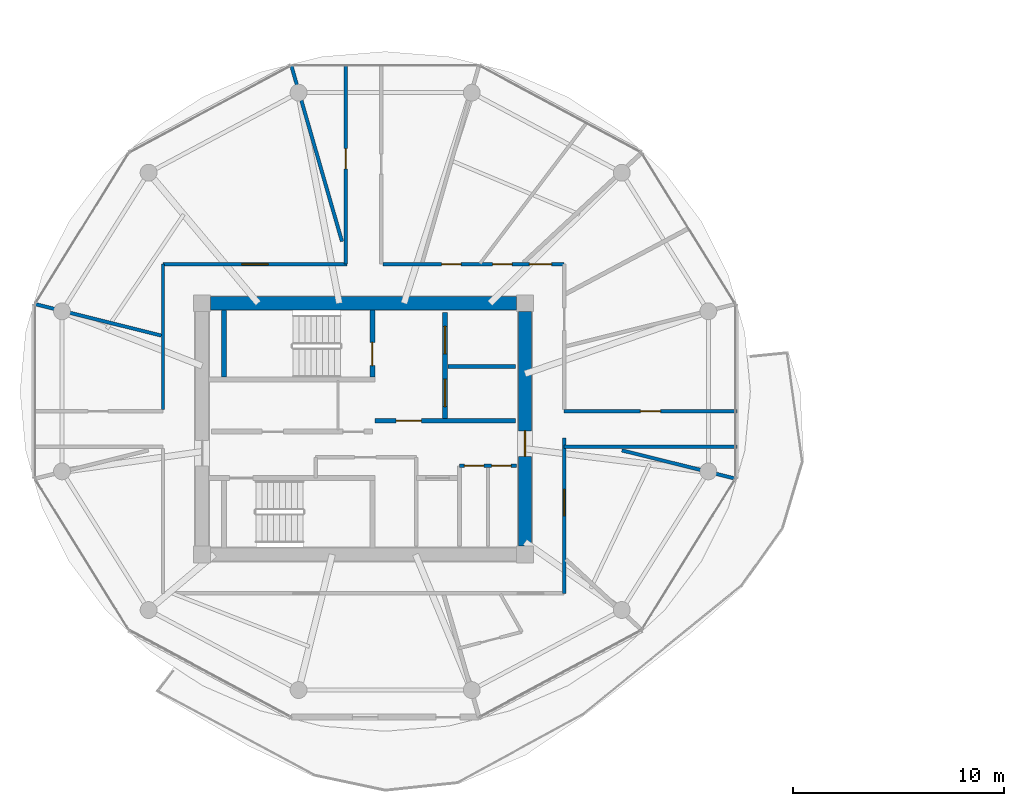
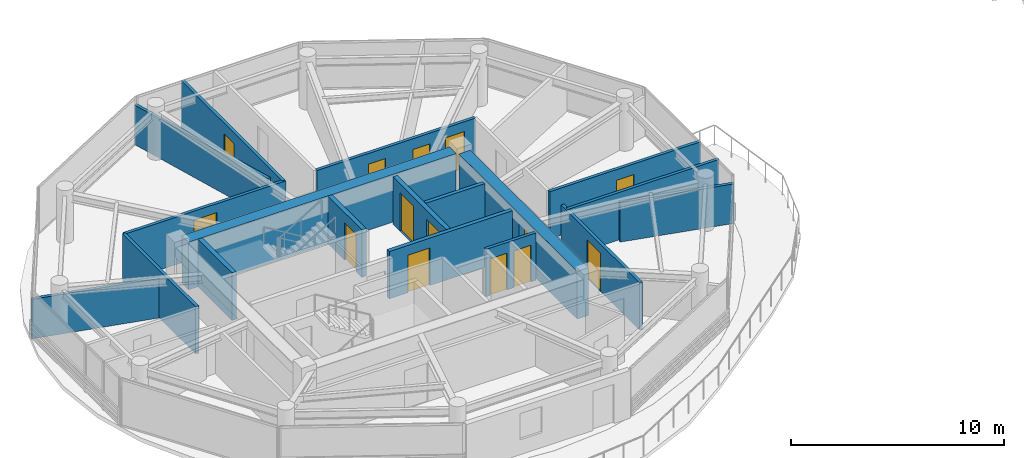
# One storey, part 13 of 22: 18 walls, 14 doors, 14 openings.
"""IFC4 building model written with IfcOpenShell, lengths in metres."""

from ifc_helpers import new_model, si_unit, direction, frame, frame_2d, origin, place, context, subcontext, project, spatial, rectangle, extrude, source, transform, mapped, material, layer, layer_set, type_object, type_shapes, element, fill, save


model = new_model("IFC4")

# Units and contexts
model_context = context("Model", 3, precision=1e-05, world=origin(), true_north=direction((0.0, 1.0)))
body_context = subcontext(model_context, "Body", "Model", "MODEL_VIEW")
ifc_project = project(units=[si_unit("LENGTHUNIT", "METRE"), si_unit("AREAUNIT", "SQUARE_METRE"), si_unit("VOLUMEUNIT", "CUBIC_METRE"), si_unit("PLANEANGLEUNIT", "RADIAN"), si_unit("MASSUNIT", "GRAM", prefix="KILO")], contexts=[model_context])

# Site, building, storey
site_placement = place(None, origin())
site = spatial("IfcSite", under=ifc_project, at=site_placement, CompositionType="ELEMENT")
building_placement = place(site_placement, origin())
building = spatial("IfcBuilding", under=site, at=building_placement, Name="Norrkilde Senior Care Towers", CompositionType="ELEMENT")
storey_placement = place(building_placement, frame((0.0, 0.0, 183.10009765625)))
storey = spatial("IfcBuildingStorey", under=building, at=storey_placement, Name="L57", CompositionType="ELEMENT", Elevation=183.10009765625)

# Wall
ifc_material_1 = material(Name="Concrete C50/60", Category="concrete")
ifc_layer_1 = layer(ifc_material_1, 0.6201171875)
ifc_layer_set_1 = layer_set([ifc_layer_1], Name="Concrete C50/60")
wall_type_1 = type_object("IfcWallType", Name="Core Shear Wall Z3 620", PredefinedType="SHEAR", material=ifc_layer_set_1)
shared_shape_1 = source(origin(), body_context, "Body", "SweptSolid", [
    extrude(rectangle(XDim=14.5, YDim=0.6201171875, at=frame_2d((7.25, 0.0))), origin(), (0.0, 0.0, 1.0), 2.72998046875),
])
wall_1_placement = place(storey_placement, frame((-35.25, 5.949951171875, 0.0), z_axis=(0.0, 0.0, 1.0), x_axis=(1.0, 0.0, 0.0)))
element("IfcWall", 1, at=wall_1_placement, inside=storey, type_object=wall_type_1, Name="L57 Core W North Shear Wall", PredefinedType="SHEAR", context=body_context, shape_type="MappedRepresentation", body=[
    mapped(shared_shape_1, transform((0.0, 0.0, 0.0), x_axis=(1.0, 0.0, 0.0), y_axis=(0.0, 1.0, 0.0), z_axis=(0.0, 0.0, 1.0), scale=1.0)),
])

# Wall, opening, door
shared_shape_2 = source(origin(), body_context, "Body", "SweptSolid", [
    extrude(rectangle(XDim=11.10009765625, YDim=0.6201171875, at=frame_2d((5.550048828125, 0.0))), origin(), (0.0, 0.0, 1.0), 2.72998046875),
])
type_shapes(wall_type_1, [shared_shape_1, shared_shape_2])
wall_2_placement = place(storey_placement, frame((-20.35009765625, 5.550048828125, 0.0), z_axis=(0.0, 0.0, 1.0), x_axis=(0.0, -1.0, 0.0)))
wall_2 = element("IfcWall", 2, at=wall_2_placement, inside=storey, type_object=wall_type_1, Name="L57 Core W East Shear Wall", PredefinedType="SHEAR", context=body_context, shape_type="MappedRepresentation", body=[
    mapped(shared_shape_2, transform((0.0, 0.0, 0.0), x_axis=(1.0, 0.0, 0.0), y_axis=(0.0, 1.0, 0.0), z_axis=(0.0, 0.0, 1.0), scale=1.0)),
])
opening_1_placement = place(wall_2_placement, frame((5.64990234375, 0.0, 0.0)))
opening_1 = element("IfcOpeningElement", 3, at=opening_1_placement, cuts=wall_2, Name="Opening D-04", PredefinedType="OPENING", context=body_context, shape_type="SweptSolid", body=[
    extrude(rectangle(XDim=1.199951171875, YDim=2.14990234375, at=frame_2d((0.60009765625, 1.074951171875))), frame((0.0, 0.320068359375, 0.0), z_axis=(0.0, -1.0, 0.0), x_axis=(1.0, 0.0, 0.0)), (0.0, 0.0, 1.0), 0.64013671875),
])
ifc_material_2 = material(Name="Galvanised Painted Steel", Category="steel")
door_type_1 = type_object("IfcDoorType", Name="Firefighting Lobby Fire Door 1200x2150", OperationType="NOTDEFINED", PredefinedType="DOOR", material=ifc_material_2)
shared_shape_3 = source(origin(), body_context, "Body", "SweptSolid", [
    extrude(rectangle(XDim=1.199951171875, YDim=2.14990234375, at=frame_2d((0.60009765625, 1.074951171875))), frame((0.0, 0.02490234375, 0.0), z_axis=(0.0, -1.0, 0.0), x_axis=(1.0, 0.0, 0.0)), (0.0, 0.0, 1.0), 0.050048828125),
])
type_shapes(door_type_1, [shared_shape_3])
door_1_placement = place(opening_1_placement, frame((1.199951171875, 0.0, 0.0), z_axis=(0.0, 0.0, 1.0), x_axis=(-1.0, 0.0, 0.0)))
door_1 = element("IfcDoor", 4, at=door_1_placement, inside=storey, type_object=door_type_1, Name="L57 Core W East Portal Door", OperationType="SINGLE_SWING_RIGHT", OverallHeight=2.14990234375, OverallWidth=1.199951171875, PredefinedType="DOOR", context=body_context, shape_type="MappedRepresentation", body=[
    mapped(shared_shape_3, transform((0.0, 0.0, 0.0), x_axis=(1.0, 0.0, 0.0), y_axis=(0.0, 1.0, 0.0), z_axis=(0.0, 0.0, 1.0), scale=1.0)),
])
fill(opening_1, door_1)

# Wall
ifc_material_3 = material(Name="Concrete C45/55", Category="concrete")
ifc_layer_2 = layer(ifc_material_3, 0.239990234375)
ifc_layer_set_2 = layer_set([ifc_layer_2], Name="Concrete C45/55")
wall_type_2 = type_object("IfcWallType", Name="Shaft and Stair Enclosure Wall 240", PredefinedType="PARTITIONING", material=ifc_layer_set_2)
shared_shape_4 = source(origin(), body_context, "Body", "SweptSolid", [
    extrude(rectangle(XDim=3.18994140625, YDim=0.239990234375, at=frame_2d((1.594970703125, 0.0))), origin(), (0.0, 0.0, 1.0), 2.72998046875),
])
type_shapes(wall_type_2, [shared_shape_4])
wall_3_placement = place(storey_placement, frame((-34.6201171875, 2.449951171875, 0.0), z_axis=(0.0, 0.0, 1.0), x_axis=(0.0, 1.0, 0.0)))
element("IfcWall", 5, at=wall_3_placement, inside=storey, type_object=wall_type_2, Name="WL-INT-L57-W-ST1W", PredefinedType="PARTITIONING", context=body_context, shape_type="MappedRepresentation", body=[
    mapped(shared_shape_4, transform((0.0, 0.0, 0.0), x_axis=(1.0, 0.0, 0.0), y_axis=(0.0, 1.0, 0.0), z_axis=(0.0, 0.0, 1.0), scale=1.0)),
])

# Wall, opening, door
wall_4_placement = place(storey_placement, frame((-27.580078125, 2.449951171875, 0.0), z_axis=(0.0, 0.0, 1.0), x_axis=(0.0, 1.0, 0.0)))
wall_4 = element("IfcWall", 6, at=wall_4_placement, inside=storey, type_object=wall_type_2, Name="WL-INT-L57-W-ST1E", PredefinedType="PARTITIONING", context=body_context, shape_type="MappedRepresentation", body=[
    mapped(shared_shape_4, transform((0.0, 0.0, 0.0), x_axis=(1.0, 0.0, 0.0), y_axis=(0.0, 1.0, 0.0), z_axis=(0.0, 0.0, 1.0), scale=1.0)),
])
opening_2_placement = place(wall_4_placement, frame((0.550048828125, 0.0, 0.0)))
opening_2 = element("IfcOpeningElement", 7, at=opening_2_placement, cuts=wall_4, Name="Opening D-03", PredefinedType="OPENING", context=body_context, shape_type="SweptSolid", body=[
    extrude(rectangle(XDim=1.10009765625, YDim=2.14990234375, at=frame_2d((0.550048828125, 1.074951171875))), frame((0.0, 0.1298828125, 0.0), z_axis=(0.0, -1.0, 0.0), x_axis=(1.0, 0.0, 0.0)), (0.0, 0.0, 1.0), 0.260009765625),
])
door_type_2 = type_object("IfcDoorType", Name="Stairwell Protected Fire Door 1100x2150", OperationType="NOTDEFINED", PredefinedType="DOOR", material=ifc_material_2)
shared_shape_5 = source(origin(), body_context, "Body", "SweptSolid", [
    extrude(rectangle(XDim=1.10009765625, YDim=2.14990234375, at=frame_2d((0.550048828125, 1.074951171875))), frame((0.0, 0.02490234375, 0.0), z_axis=(0.0, -1.0, 0.0), x_axis=(1.0, 0.0, 0.0)), (0.0, 0.0, 1.0), 0.050048828125),
])
type_shapes(door_type_2, [shared_shape_5])
door_2_placement = place(opening_2_placement, origin())
door_2 = element("IfcDoor", 8, at=door_2_placement, inside=storey, type_object=door_type_2, Name="L57 Stair W1 Fire Door", OperationType="SINGLE_SWING_LEFT", OverallHeight=2.14990234375, OverallWidth=1.10009765625, PredefinedType="DOOR", context=body_context, shape_type="MappedRepresentation", body=[
    mapped(shared_shape_5, transform((0.0, 0.0, 0.0), x_axis=(1.0, 0.0, 0.0), y_axis=(0.0, 1.0, 0.0), z_axis=(0.0, 0.0, 1.0), scale=1.0)),
])
fill(opening_2, door_2)

# Wall, openings, doors
ifc_layer_3 = layer(ifc_material_3, 0.239990234375)
ifc_layer_set_3 = layer_set([ifc_layer_3], Name="Concrete C45/55")
wall_type_3 = type_object("IfcWallType", Name="Lift and Plant Rated Enclosure Partition 240", PredefinedType="PARTITIONING", material=ifc_layer_set_3)
shared_shape_6 = source(origin(), body_context, "Body", "SweptSolid", [
    extrude(rectangle(XDim=5.0, YDim=0.239990234375, at=frame_2d((2.5, 0.0))), origin(), (0.0, 0.0, 1.0), 2.71484375),
])
type_shapes(wall_type_3, [shared_shape_6])
wall_5_placement = place(storey_placement, frame((-24.139892578125, 0.5, 0.0), z_axis=(0.0, 0.0, 1.0), x_axis=(0.0, 1.0, 0.0)))
wall_5 = element("IfcWall", 9, at=wall_5_placement, inside=storey, type_object=wall_type_3, Name="WL-INT-L57-W-FFLE", PredefinedType="PARTITIONING", context=body_context, shape_type="MappedRepresentation", body=[
    mapped(shared_shape_6, transform((0.0, 0.0, 0.0), x_axis=(1.0, 0.0, 0.0), y_axis=(0.0, 1.0, 0.0), z_axis=(0.0, 0.0, 1.0), scale=1.0)),
])
opening_3_placement = place(wall_5_placement, frame((3.050048828125, 0.0, 0.0)))
opening_3 = element("IfcOpeningElement", 10, at=opening_3_placement, cuts=wall_5, Name="Opening LD-02", PredefinedType="OPENING", context=body_context, shape_type="SweptSolid", body=[
    extrude(rectangle(XDim=1.300048828125, YDim=2.199951171875, at=frame_2d((0.64990234375, 1.10009765625))), frame((0.0, 0.1298828125, 0.0), z_axis=(0.0, -1.0, 0.0), x_axis=(1.0, 0.0, 0.0)), (0.0, 0.0, 1.0), 0.260009765625),
])
opening_4_placement = place(wall_5_placement, frame((0.550048828125, 0.0, 0.0)))
opening_4 = element("IfcOpeningElement", 11, at=opening_4_placement, cuts=wall_5, Name="Opening LD-02", PredefinedType="OPENING", context=body_context, shape_type="SweptSolid", body=[
    extrude(rectangle(XDim=1.300048828125, YDim=2.199951171875, at=frame_2d((0.64990234375, 1.10009765625))), frame((0.0, 0.1298828125, 0.0), z_axis=(0.0, -1.0, 0.0), x_axis=(1.0, 0.0, 0.0)), (0.0, 0.0, 1.0), 0.260009765625),
])
ifc_material_4 = material(Name="Stainless Steel", Category="steel")
door_type_3 = type_object("IfcDoorType", Name="Stretcher and FFL Landing Sliding Door 1300x2200", OperationType="NOTDEFINED", PredefinedType="DOOR", material=ifc_material_4)
shared_shape_7 = source(origin(), body_context, "Body", "SweptSolid", [
    extrude(rectangle(XDim=1.300048828125, YDim=2.199951171875, at=frame_2d((0.64990234375, 1.10009765625))), frame((0.0, 0.02490234375, 0.0), z_axis=(0.0, -1.0, 0.0), x_axis=(1.0, 0.0, 0.0)), (0.0, 0.0, 1.0), 0.050048828125),
])
type_shapes(door_type_3, [shared_shape_7])
door_3_placement = place(opening_3_placement, origin())
door_3 = element("IfcDoor", 12, at=door_3_placement, inside=storey, type_object=door_type_3, Name="L57 Firefighting Lift W1 Landing Door", OperationType="SLIDING_TO_LEFT", OverallHeight=2.199951171875, OverallWidth=1.300048828125, PredefinedType="DOOR", context=body_context, shape_type="MappedRepresentation", body=[
    mapped(shared_shape_7, transform((0.0, 0.0, 0.0), x_axis=(1.0, 0.0, 0.0), y_axis=(0.0, 1.0, 0.0), z_axis=(0.0, 0.0, 1.0), scale=1.0)),
])
fill(opening_3, door_3)
door_4_placement = place(opening_4_placement, origin())
door_4 = element("IfcDoor", 13, at=door_4_placement, inside=storey, type_object=door_type_3, Name="L57 Stretcher Lift W1 Landing Door", OperationType="SLIDING_TO_RIGHT", OverallHeight=2.199951171875, OverallWidth=1.300048828125, PredefinedType="DOOR", context=body_context, shape_type="MappedRepresentation", body=[
    mapped(shared_shape_7, transform((0.0, 0.0, 0.0), x_axis=(1.0, 0.0, 0.0), y_axis=(0.0, 1.0, 0.0), z_axis=(0.0, 0.0, 1.0), scale=1.0)),
])
fill(opening_4, door_4)

# Wall
ifc_layer_4 = layer(ifc_material_3, 0.199951171875)
ifc_layer_set_4 = layer_set([ifc_layer_4], Name="Concrete C45/55")
wall_type_4 = type_object("IfcWallType", Name="Shaft Division and Plant Partition 200", PredefinedType="PARTITIONING", material=ifc_layer_set_4)
shared_shape_8 = source(origin(), body_context, "Body", "SweptSolid", [
    extrude(rectangle(XDim=3.199951171875, YDim=0.199951171875, at=frame_2d((1.60009765625, 0.0))), origin(), (0.0, 0.0, 1.0), 2.71484375),
])
type_shapes(wall_type_4, [shared_shape_8])
wall_6_placement = place(storey_placement, frame((-24.0, 2.949951171875, 0.0), z_axis=(0.0, 0.0, 1.0), x_axis=(1.0, 0.0, 0.0)))
element("IfcWall", 14, at=wall_6_placement, inside=storey, type_object=wall_type_4, Name="WL-INT-L57-W-FFLDIV", PredefinedType="PARTITIONING", context=body_context, shape_type="MappedRepresentation", body=[
    mapped(shared_shape_8, transform((0.0, 0.0, 0.0), x_axis=(1.0, 0.0, 0.0), y_axis=(0.0, 1.0, 0.0), z_axis=(0.0, 0.0, 1.0), scale=1.0)),
])

# Wall, opening, door
ifc_layer_5 = layer(ifc_material_3, 0.2099609375)
ifc_layer_set_5 = layer_set([ifc_layer_5], Name="Concrete C45/55")
wall_type_5 = type_object("IfcWallType", Name="Firefighting Lobby Wall 210", PredefinedType="PARTITIONING", material=ifc_layer_set_5)
shared_shape_9 = source(origin(), body_context, "Body", "SweptSolid", [
    extrude(rectangle(XDim=6.659912109375, YDim=0.2099609375, at=frame_2d((3.330078125, 0.0))), origin(), (0.0, 0.0, 1.0), 2.71484375),
])
type_shapes(wall_type_5, [shared_shape_9])
wall_7_placement = place(storey_placement, frame((-27.4599609375, 0.389892578125, 0.0), z_axis=(0.0, 0.0, 1.0), x_axis=(1.0, 0.0, 0.0)))
wall_7 = element("IfcWall", 15, at=wall_7_placement, inside=storey, type_object=wall_type_5, Name="WL-INT-L57-W-FFLS", PredefinedType="PARTITIONING", context=body_context, shape_type="MappedRepresentation", body=[
    mapped(shared_shape_9, transform((0.0, 0.0, 0.0), x_axis=(1.0, 0.0, 0.0), y_axis=(0.0, 1.0, 0.0), z_axis=(0.0, 0.0, 1.0), scale=1.0)),
])
opening_5_placement = place(wall_7_placement, frame((1.0, 0.0, 0.0)))
opening_5 = element("IfcOpeningElement", 16, at=opening_5_placement, cuts=wall_7, Name="Opening D-04", PredefinedType="OPENING", context=body_context, shape_type="SweptSolid", body=[
    extrude(rectangle(XDim=1.199951171875, YDim=2.14990234375, at=frame_2d((0.60009765625, 1.074951171875))), frame((0.0, 0.114990234375, 0.0), z_axis=(0.0, -1.0, 0.0), x_axis=(1.0, 0.0, 0.0)), (0.0, 0.0, 1.0), 0.22998046875),
])
door_5_placement = place(opening_5_placement, frame((1.199951171875, 0.0, 0.0), z_axis=(0.0, 0.0, 1.0), x_axis=(-1.0, 0.0, 0.0)))
door_5 = element("IfcDoor", 17, at=door_5_placement, inside=storey, type_object=door_type_1, Name="L57 Firefighting Lobby W Door", OperationType="SINGLE_SWING_LEFT", OverallHeight=2.14990234375, OverallWidth=1.199951171875, PredefinedType="DOOR", context=body_context, shape_type="MappedRepresentation", body=[
    mapped(shared_shape_3, transform((0.0, 0.0, 0.0), x_axis=(1.0, 0.0, 0.0), y_axis=(0.0, 1.0, 0.0), z_axis=(0.0, 0.0, 1.0), scale=1.0)),
])
fill(opening_5, door_5)

# Wall, openings, doors
ifc_material_5 = material(Name="Gypsum Acoustic Board")
ifc_layer_6 = layer(ifc_material_5, 0.1650390625)
ifc_layer_set_6 = layer_set([ifc_layer_6], Name="Gypsum Acoustic Board")
wall_type_6 = type_object("IfcWallType", Name="Corridor Rated Partition 165", PredefinedType="PARTITIONING", material=ifc_layer_set_6)
shared_shape_10 = source(origin(), body_context, "Body", "SweptSolid", [
    extrude(rectangle(XDim=2.699951171875, YDim=0.1650390625, at=frame_2d((1.35009765625, 0.0))), origin(), (0.0, 0.0, 1.0), 2.71484375),
])
wall_8_placement = place(storey_placement, frame((-23.449951171875, -1.75, 0.0), z_axis=(0.0, 0.0, 1.0), x_axis=(1.0, 0.0, 0.0)))
wall_8 = element("IfcWall", 18, at=wall_8_placement, inside=storey, type_object=wall_type_6, Name="WL-INT-L57-W-CSN", PredefinedType="PARTITIONING", context=body_context, shape_type="MappedRepresentation", body=[
    mapped(shared_shape_10, transform((0.0, 0.0, 0.0), x_axis=(1.0, 0.0, 0.0), y_axis=(0.0, 1.0, 0.0), z_axis=(0.0, 0.0, 1.0), scale=1.0)),
])
opening_6_placement = place(wall_8_placement, frame((0.222412109375, 0.0, 0.0)))
opening_6 = element("IfcOpeningElement", 19, at=opening_6_placement, cuts=wall_8, Name="Opening D-12", PredefinedType="OPENING", context=body_context, shape_type="SweptSolid", body=[
    extrude(rectangle(XDim=0.925048828125, YDim=2.10009765625, at=frame_2d((0.46240234375, 1.050048828125))), frame((0.0, 0.092529296875, 0.0), z_axis=(0.0, -1.0, 0.0), x_axis=(1.0, 0.0, 0.0)), (0.0, 0.0, 1.0), 0.18505859375),
])
opening_7_placement = place(wall_8_placement, frame((1.5224609375, 0.0, 0.0)))
opening_7 = element("IfcOpeningElement", 20, at=opening_7_placement, cuts=wall_8, Name="Opening D-12", PredefinedType="OPENING", context=body_context, shape_type="SweptSolid", body=[
    extrude(rectangle(XDim=0.925048828125, YDim=2.10009765625, at=frame_2d((0.46240234375, 1.050048828125))), frame((0.0, 0.092529296875, 0.0), z_axis=(0.0, -1.0, 0.0), x_axis=(1.0, 0.0, 0.0)), (0.0, 0.0, 1.0), 0.18505859375),
])
door_type_4 = type_object("IfcDoorType", Name="Core Wet Room Rated Door 925x2100", OperationType="NOTDEFINED", PredefinedType="DOOR", material=ifc_material_2)
shared_shape_11 = source(origin(), body_context, "Body", "SweptSolid", [
    extrude(rectangle(XDim=0.925048828125, YDim=2.10009765625, at=frame_2d((0.46240234375, 1.050048828125))), frame((0.0, 0.02490234375, 0.0), z_axis=(0.0, -1.0, 0.0), x_axis=(1.0, 0.0, 0.0)), (0.0, 0.0, 1.0), 0.050048828125),
])
type_shapes(door_type_4, [shared_shape_11])
door_6_placement = place(opening_6_placement, origin())
door_6 = element("IfcDoor", 21, at=door_6_placement, inside=storey, type_object=door_type_4, Name="L57 Staff Accessible WC W Door", OperationType="SINGLE_SWING_LEFT", OverallHeight=2.10009765625, OverallWidth=0.925048828125, PredefinedType="DOOR", context=body_context, shape_type="MappedRepresentation", body=[
    mapped(shared_shape_11, transform((0.0, 0.0, 0.0), x_axis=(1.0, 0.0, 0.0), y_axis=(0.0, 1.0, 0.0), z_axis=(0.0, 0.0, 1.0), scale=1.0)),
])
fill(opening_6, door_6)
door_7_placement = place(opening_7_placement, origin())
door_7 = element("IfcDoor", 22, at=door_7_placement, inside=storey, type_object=door_type_4, Name="L57 Housekeeping Store W Door", OperationType="SINGLE_SWING_RIGHT", OverallHeight=2.10009765625, OverallWidth=0.925048828125, PredefinedType="DOOR", context=body_context, shape_type="MappedRepresentation", body=[
    mapped(shared_shape_11, transform((0.0, 0.0, 0.0), x_axis=(1.0, 0.0, 0.0), y_axis=(0.0, 1.0, 0.0), z_axis=(0.0, 0.0, 1.0), scale=1.0)),
])
fill(opening_7, door_7)

# Wall, opening, door
shared_shape_12 = source(origin(), body_context, "Body", "SweptSolid", [
    extrude(rectangle(XDim=8.719482421875, YDim=0.1650390625, at=frame_2d((4.35986328125, 0.0))), origin(), (0.0, 0.0, 1.0), 2.71484375),
])
wall_9_placement = place(storey_placement, frame((-37.5, 7.800048828125, 0.0), z_axis=(0.0, 0.0, 1.0), x_axis=(1.0, 0.0, 0.0)))
wall_9 = element("IfcWall", 23, at=wall_9_placement, inside=storey, type_object=wall_type_6, Name="WL-INT-L57-W-CRW-N-0", PredefinedType="PARTITIONING", context=body_context, shape_type="MappedRepresentation", body=[
    mapped(shared_shape_12, transform((0.0, 0.0, 0.0), x_axis=(1.0, 0.0, 0.0), y_axis=(0.0, 1.0, 0.0), z_axis=(0.0, 0.0, 1.0), scale=1.0)),
])
opening_8_placement = place(wall_9_placement, frame((3.73486328125, 0.0, 0.0)))
opening_8 = element("IfcOpeningElement", 24, at=opening_8_placement, cuts=wall_9, Name="Opening D-05", PredefinedType="OPENING", context=body_context, shape_type="SweptSolid", body=[
    extrude(rectangle(XDim=1.25, YDim=2.199951171875, at=frame_2d((0.625, 1.10009765625))), frame((0.0, 0.092529296875, 0.0), z_axis=(0.0, -1.0, 0.0), x_axis=(1.0, 0.0, 0.0)), (0.0, 0.0, 1.0), 0.18505859375),
])
ifc_material_6 = material(Name="Nordic Ash Timber", Category="wood")
door_type_5 = type_object("IfcDoorType", Name="Care Bedroom Bariatric Door 1250x2200", OperationType="NOTDEFINED", PredefinedType="DOOR", material=ifc_material_6)
shared_shape_13 = source(origin(), body_context, "Body", "SweptSolid", [
    extrude(rectangle(XDim=1.25, YDim=2.199951171875, at=frame_2d((0.625, 1.10009765625))), frame((0.0, 0.02490234375, 0.0), z_axis=(0.0, -1.0, 0.0), x_axis=(1.0, 0.0, 0.0)), (0.0, 0.0, 1.0), 0.050048828125),
])
type_shapes(door_type_5, [shared_shape_13])
door_8_placement = place(opening_8_placement, frame((1.25, 0.0, 0.0), z_axis=(0.0, 0.0, 1.0), x_axis=(-1.0, 0.0, 0.0)))
door_8 = element("IfcDoor", 25, at=door_8_placement, inside=storey, type_object=door_type_5, Name="L57 Household Communal Dining Salon Door", OperationType="SINGLE_SWING_RIGHT", OverallHeight=2.199951171875, OverallWidth=1.25, PredefinedType="DOOR", context=body_context, shape_type="MappedRepresentation", body=[
    mapped(shared_shape_13, transform((0.0, 0.0, 0.0), x_axis=(1.0, 0.0, 0.0), y_axis=(0.0, 1.0, 0.0), z_axis=(0.0, 0.0, 1.0), scale=1.0)),
])
fill(opening_8, door_8)

# Wall, openings, doors
shared_shape_14 = source(origin(), body_context, "Body", "SweptSolid", [
    extrude(rectangle(XDim=8.580078125, YDim=0.1650390625, at=frame_2d((4.2900390625, 0.0))), origin(), (0.0, 0.0, 1.0), 2.71484375),
])
wall_10_placement = place(storey_placement, frame((-27.080078125, 7.800048828125, 0.0), z_axis=(0.0, 0.0, 1.0), x_axis=(1.0, 0.0, 0.0)))
wall_10 = element("IfcWall", 26, at=wall_10_placement, inside=storey, type_object=wall_type_6, Name="WL-INT-L57-W-CRW-N-1", PredefinedType="PARTITIONING", context=body_context, shape_type="MappedRepresentation", body=[
    mapped(shared_shape_14, transform((0.0, 0.0, 0.0), x_axis=(1.0, 0.0, 0.0), y_axis=(0.0, 1.0, 0.0), z_axis=(0.0, 0.0, 1.0), scale=1.0)),
])
opening_9_placement = place(wall_10_placement, frame((6.93994140625, 0.0, 0.0)))
opening_9 = element("IfcOpeningElement", 27, at=opening_9_placement, cuts=wall_10, Name="Opening D-06", PredefinedType="OPENING", context=body_context, shape_type="SweptSolid", body=[
    extrude(rectangle(XDim=1.050048828125, YDim=2.14990234375, at=frame_2d((0.52490234375, 1.074951171875))), frame((0.0, 0.092529296875, 0.0), z_axis=(0.0, -1.0, 0.0), x_axis=(1.0, 0.0, 0.0)), (0.0, 0.0, 1.0), 0.18505859375),
])
opening_10_placement = place(wall_10_placement, frame((5.197265625, 0.0, 0.0)))
opening_10 = element("IfcOpeningElement", 28, at=opening_10_placement, cuts=wall_10, Name="Opening D-08", PredefinedType="OPENING", context=body_context, shape_type="SweptSolid", body=[
    extrude(rectangle(XDim=0.919921875, YDim=2.10009765625, at=frame_2d((0.4599609375, 1.050048828125))), frame((0.0, 0.092529296875, 0.0), z_axis=(0.0, -1.0, 0.0), x_axis=(1.0, 0.0, 0.0)), (0.0, 0.0, 1.0), 0.18505859375),
])
opening_11_placement = place(wall_10_placement, frame((2.777587890625, 0.0, 0.0)))
opening_11 = element("IfcOpeningElement", 29, at=opening_11_placement, cuts=wall_10, Name="Opening D-08", PredefinedType="OPENING", context=body_context, shape_type="SweptSolid", body=[
    extrude(rectangle(XDim=0.919921875, YDim=2.10009765625, at=frame_2d((0.4599609375, 1.050048828125))), frame((0.0, 0.092529296875, 0.0), z_axis=(0.0, -1.0, 0.0), x_axis=(1.0, 0.0, 0.0)), (0.0, 0.0, 1.0), 0.18505859375),
])
door_type_6 = type_object("IfcDoorType", Name="Accessible Wet Room Door 920x2100", OperationType="NOTDEFINED", PredefinedType="DOOR", material=ifc_material_6)
shared_shape_15 = source(origin(), body_context, "Body", "SweptSolid", [
    extrude(rectangle(XDim=0.919921875, YDim=2.10009765625, at=frame_2d((0.4599609375, 1.050048828125))), frame((0.0, 0.02490234375, 0.0), z_axis=(0.0, -1.0, 0.0), x_axis=(1.0, 0.0, 0.0)), (0.0, 0.0, 1.0), 0.050048828125),
])
type_shapes(door_type_6, [shared_shape_15])
door_9_placement = place(opening_10_placement, frame((0.919921875, 0.0, 0.0), z_axis=(0.0, 0.0, 1.0), x_axis=(-1.0, 0.0, 0.0)))
door_9 = element("IfcDoor", 30, at=door_9_placement, inside=storey, type_object=door_type_6, Name="L57 Accessible Restroom Door", OperationType="SINGLE_SWING_RIGHT", OverallHeight=2.10009765625, OverallWidth=0.919921875, PredefinedType="DOOR", context=body_context, shape_type="MappedRepresentation", body=[
    mapped(shared_shape_15, transform((0.0, 0.0, 0.0), x_axis=(1.0, 0.0, 0.0), y_axis=(0.0, 1.0, 0.0), z_axis=(0.0, 0.0, 1.0), scale=1.0)),
])
fill(opening_10, door_9)
door_10_placement = place(opening_11_placement, frame((0.919921875, 0.0, 0.0), z_axis=(0.0, 0.0, 1.0), x_axis=(-1.0, 0.0, 0.0)))
door_10 = element("IfcDoor", 31, at=door_10_placement, inside=storey, type_object=door_type_6, Name="L57 Public Restroom Door", OperationType="SINGLE_SWING_LEFT", OverallHeight=2.10009765625, OverallWidth=0.919921875, PredefinedType="DOOR", context=body_context, shape_type="MappedRepresentation", body=[
    mapped(shared_shape_15, transform((0.0, 0.0, 0.0), x_axis=(1.0, 0.0, 0.0), y_axis=(0.0, 1.0, 0.0), z_axis=(0.0, 0.0, 1.0), scale=1.0)),
])
fill(opening_11, door_10)
door_type_7 = type_object("IfcDoorType", Name="Apartment Entrance Fire Door 1050x2150", OperationType="NOTDEFINED", PredefinedType="DOOR", material=ifc_material_6)
shared_shape_16 = source(origin(), body_context, "Body", "SweptSolid", [
    extrude(rectangle(XDim=1.050048828125, YDim=2.14990234375, at=frame_2d((0.52490234375, 1.074951171875))), frame((0.0, 0.02490234375, 0.0), z_axis=(0.0, -1.0, 0.0), x_axis=(1.0, 0.0, 0.0)), (0.0, 0.0, 1.0), 0.050048828125),
])
type_shapes(door_type_7, [shared_shape_16])
door_11_placement = place(opening_9_placement, frame((1.050048828125, 0.0, 0.0), z_axis=(0.0, 0.0, 1.0), x_axis=(-1.0, 0.0, 0.0)))
door_11 = element("IfcDoor", 32, at=door_11_placement, inside=storey, type_object=door_type_7, Name="L57 Assessment Clinic 0B Door", OperationType="SINGLE_SWING_RIGHT", OverallHeight=2.14990234375, OverallWidth=1.050048828125, PredefinedType="DOOR", context=body_context, shape_type="MappedRepresentation", body=[
    mapped(shared_shape_16, transform((0.0, 0.0, 0.0), x_axis=(1.0, 0.0, 0.0), y_axis=(0.0, 1.0, 0.0), z_axis=(0.0, 0.0, 1.0), scale=1.0)),
])
fill(opening_9, door_11)

# Wall
shared_shape_17 = source(origin(), body_context, "Body", "SweptSolid", [
    extrude(rectangle(XDim=6.880126953125, YDim=0.1650390625, at=frame_2d((3.43994140625, 0.0))), origin(), (0.0, 0.0, 1.0), 2.71484375),
])
wall_11_placement = place(storey_placement, frame((-37.5, 0.919921875, 0.0), z_axis=(0.0, 0.0, 1.0), x_axis=(0.0, 1.0, 0.0)))
element("IfcWall", 33, at=wall_11_placement, inside=storey, type_object=wall_type_6, Name="WL-INT-L57-W-CRW-W-1", PredefinedType="PARTITIONING", context=body_context, shape_type="MappedRepresentation", body=[
    mapped(shared_shape_17, transform((0.0, 0.0, 0.0), x_axis=(1.0, 0.0, 0.0), y_axis=(0.0, 1.0, 0.0), z_axis=(0.0, 0.0, 1.0), scale=1.0)),
])

# Wall, opening, door
shared_shape_18 = source(origin(), body_context, "Body", "SweptSolid", [
    extrude(rectangle(XDim=7.364501953125, YDim=0.1650390625, at=frame_2d((3.68212890625, 0.0))), origin(), (0.0, 0.0, 1.0), 2.71484375),
])
wall_12_placement = place(storey_placement, frame((-18.5, -0.435546875, 0.0), z_axis=(0.0, 0.0, 1.0), x_axis=(0.0, -1.0, 0.0)))
wall_12 = element("IfcWall", 34, at=wall_12_placement, inside=storey, type_object=wall_type_6, Name="WL-INT-L57-W-CRW-E-1", PredefinedType="PARTITIONING", context=body_context, shape_type="MappedRepresentation", body=[
    mapped(shared_shape_18, transform((0.0, 0.0, 0.0), x_axis=(1.0, 0.0, 0.0), y_axis=(0.0, 1.0, 0.0), z_axis=(0.0, 0.0, 1.0), scale=1.0)),
])
opening_12_placement = place(wall_12_placement, frame((2.43310546875, 0.0, 0.0)))
opening_12 = element("IfcOpeningElement", 35, at=opening_12_placement, cuts=wall_12, Name="Opening D-05", PredefinedType="OPENING", context=body_context, shape_type="SweptSolid", body=[
    extrude(rectangle(XDim=1.25, YDim=2.199951171875, at=frame_2d((0.625, 1.10009765625))), frame((0.0, 0.092529296875, 0.0), z_axis=(0.0, -1.0, 0.0), x_axis=(1.0, 0.0, 0.0)), (0.0, 0.0, 1.0), 0.18505859375),
])
door_12_placement = place(opening_12_placement, frame((1.25, 0.0, 0.0), z_axis=(0.0, 0.0, 1.0), x_axis=(-1.0, 0.0, 0.0)))
door_12 = element("IfcDoor", 36, at=door_12_placement, inside=storey, type_object=door_type_5, Name="L57 Household Therapeutic Kitchen Door", OperationType="SINGLE_SWING_LEFT", OverallHeight=2.199951171875, OverallWidth=1.25, PredefinedType="DOOR", context=body_context, shape_type="MappedRepresentation", body=[
    mapped(shared_shape_13, transform((0.0, 0.0, 0.0), x_axis=(1.0, 0.0, 0.0), y_axis=(0.0, 1.0, 0.0), z_axis=(0.0, 0.0, 1.0), scale=1.0)),
])
fill(opening_12, door_12)

# Walls
shared_shape_19 = source(origin(), body_context, "Body", "SweptSolid", [
    extrude(rectangle(XDim=8.695068359375, YDim=0.1650390625, at=frame_2d((4.34765625, 0.0))), origin(), (0.0, 0.0, 1.0), 2.264892578125),
])
wall_13_placement = place(storey_placement, frame((-29.02001953125, 8.875, 0.0), z_axis=(0.0, 0.0, 1.0), x_axis=(-0.276797231892, 0.960928349263, 0.0)))
element("IfcWall", 37, at=wall_13_placement, inside=storey, type_object=wall_type_6, Name="WL-INT-L57-W-DEM-03-0", PredefinedType="PARTITIONING", context=body_context, shape_type="MappedRepresentation", body=[
    mapped(shared_shape_19, transform((0.0, 0.0, 0.0), x_axis=(1.0, 0.0, 0.0), y_axis=(0.0, 1.0, 0.0), z_axis=(0.0, 0.0, 1.0), scale=1.0)),
])
shared_shape_20 = source(origin(), body_context, "Body", "SweptSolid", [
    extrude(rectangle(XDim=6.192626953125, YDim=0.1650390625, at=frame_2d((3.09619140625, 0.0))), origin(), (0.0, 0.0, 1.0), 2.264892578125),
])
wall_14_placement = place(storey_placement, frame((-37.580078125, 4.418701171875, 0.0), z_axis=(0.0, 0.0, 1.0), x_axis=(-0.970309243466, 0.241867674657, 0.0)))
element("IfcWall", 38, at=wall_14_placement, inside=storey, type_object=wall_type_6, Name="WL-INT-L57-W-DEM-05-0", PredefinedType="PARTITIONING", context=body_context, shape_type="MappedRepresentation", body=[
    mapped(shared_shape_20, transform((0.0, 0.0, 0.0), x_axis=(1.0, 0.0, 0.0), y_axis=(0.0, 1.0, 0.0), z_axis=(0.0, 0.0, 1.0), scale=1.0)),
])
shared_shape_21 = source(origin(), body_context, "Body", "SweptSolid", [
    extrude(rectangle(XDim=5.564453125, YDim=0.1650390625, at=frame_2d((2.7822265625, 0.0))), origin(), (0.0, 0.0, 1.0), 2.264892578125),
])
wall_15_placement = place(storey_placement, frame((-15.76025390625, -1.02001953125, 0.0), z_axis=(0.0, 0.0, 1.0), x_axis=(0.970315176167, -0.241843872984, 0.0)))
element("IfcWall", 39, at=wall_15_placement, inside=storey, type_object=wall_type_6, Name="WL-INT-L57-W-DEM-11-0", PredefinedType="PARTITIONING", context=body_context, shape_type="MappedRepresentation", body=[
    mapped(shared_shape_21, transform((0.0, 0.0, 0.0), x_axis=(1.0, 0.0, 0.0), y_axis=(0.0, 1.0, 0.0), z_axis=(0.0, 0.0, 1.0), scale=1.0)),
])

# Wall, opening, door
shared_shape_22 = source(origin(), body_context, "Body", "SweptSolid", [
    extrude(rectangle(XDim=9.480224609375, YDim=0.1650390625, at=frame_2d((4.740234375, 0.0))), origin(), (0.0, 0.0, 1.0), 2.71484375),
])
wall_16_placement = place(storey_placement, frame((-28.840087890625, 7.800048828125, 0.0), z_axis=(0.0, 0.0, 1.0), x_axis=(0.0, 1.0, 0.0)))
wall_16 = element("IfcWall", 40, at=wall_16_placement, inside=storey, type_object=wall_type_6, Name="WL-INT-L57-W-SPK-N1-0", PredefinedType="PARTITIONING", context=body_context, shape_type="MappedRepresentation", body=[
    mapped(shared_shape_22, transform((0.0, 0.0, 0.0), x_axis=(1.0, 0.0, 0.0), y_axis=(0.0, 1.0, 0.0), z_axis=(0.0, 0.0, 1.0), scale=1.0)),
])
opening_13_placement = place(wall_16_placement, frame((4.5205078125, 0.0, 0.0)))
opening_13 = element("IfcOpeningElement", 41, at=opening_13_placement, cuts=wall_16, Name="Opening D-07", PredefinedType="OPENING", context=body_context, shape_type="SweptSolid", body=[
    extrude(rectangle(XDim=0.949951171875, YDim=2.10009765625, at=frame_2d((0.47509765625, 1.050048828125))), frame((0.0, 0.092529296875, 0.0), z_axis=(0.0, -1.0, 0.0), x_axis=(1.0, 0.0, 0.0)), (0.0, 0.0, 1.0), 0.18505859375),
])
door_type_8 = type_object("IfcDoorType", Name="Internal Suite Bedroom Door 950x2100", OperationType="NOTDEFINED", PredefinedType="DOOR", material=ifc_material_6)
shared_shape_23 = source(origin(), body_context, "Body", "SweptSolid", [
    extrude(rectangle(XDim=0.949951171875, YDim=2.10009765625, at=frame_2d((0.47509765625, 1.050048828125))), frame((0.0, 0.02490234375, 0.0), z_axis=(0.0, -1.0, 0.0), x_axis=(1.0, 0.0, 0.0)), (0.0, 0.0, 1.0), 0.050048828125),
])
type_shapes(door_type_8, [shared_shape_23])
door_13_placement = place(opening_13_placement, frame((0.949951171875, 0.0, 0.0), z_axis=(0.0, 0.0, 1.0), x_axis=(-1.0, 0.0, 0.0)))
door_13 = element("IfcDoor", 42, at=door_13_placement, inside=storey, type_object=door_type_8, Name="L57 Sun Reading Lounge 3 Door", OperationType="SINGLE_SWING_RIGHT", OverallHeight=2.10009765625, OverallWidth=0.949951171875, PredefinedType="DOOR", context=body_context, shape_type="MappedRepresentation", body=[
    mapped(shared_shape_23, transform((0.0, 0.0, 0.0), x_axis=(1.0, 0.0, 0.0), y_axis=(0.0, 1.0, 0.0), z_axis=(0.0, 0.0, 1.0), scale=1.0)),
])
fill(opening_13, door_13)

shared_shape_24 = source(origin(), body_context, "Body", "SweptSolid", [
    extrude(rectangle(XDim=8.18896484375, YDim=0.1650390625, at=frame_2d((4.094482421875, 0.0))), origin(), (0.0, 0.0, 1.0), 2.71484375),
])
type_shapes(wall_type_6, [shared_shape_10, shared_shape_12, shared_shape_14, shared_shape_17, shared_shape_18, shared_shape_19, shared_shape_20, shared_shape_21, shared_shape_22, shared_shape_24])
wall_17_placement = place(storey_placement, frame((-18.5, 0.840087890625, 0.0), z_axis=(0.0, 0.0, 1.0), x_axis=(1.0, 0.0, 0.0)))
wall_17 = element("IfcWall", 43, at=wall_17_placement, inside=storey, type_object=wall_type_6, Name="WL-INT-L57-W-SPK-E1-0", PredefinedType="PARTITIONING", context=body_context, shape_type="MappedRepresentation", body=[
    mapped(shared_shape_24, transform((0.0, 0.0, 0.0), x_axis=(1.0, 0.0, 0.0), y_axis=(0.0, 1.0, 0.0), z_axis=(0.0, 0.0, 1.0), scale=1.0)),
])
opening_14_placement = place(wall_17_placement, frame((3.619384765625, 0.0, 0.0)))
opening_14 = element("IfcOpeningElement", 44, at=opening_14_placement, cuts=wall_17, Name="Opening D-07", PredefinedType="OPENING", context=body_context, shape_type="SweptSolid", body=[
    extrude(rectangle(XDim=0.949951171875, YDim=2.10009765625, at=frame_2d((0.47509765625, 1.050048828125))), frame((0.0, 0.092529296875, 0.0), z_axis=(0.0, -1.0, 0.0), x_axis=(1.0, 0.0, 0.0)), (0.0, 0.0, 1.0), 0.18505859375),
])
door_14_placement = place(opening_14_placement, frame((0.949951171875, 0.0, 0.0), z_axis=(0.0, 0.0, 1.0), x_axis=(-1.0, 0.0, 0.0)))
door_14 = element("IfcDoor", 45, at=door_14_placement, inside=storey, type_object=door_type_8, Name="L57 Sun Reading Lounge 5 Door", OperationType="SINGLE_SWING_RIGHT", OverallHeight=2.10009765625, OverallWidth=0.949951171875, PredefinedType="DOOR", context=body_context, shape_type="MappedRepresentation", body=[
    mapped(shared_shape_23, transform((0.0, 0.0, 0.0), x_axis=(1.0, 0.0, 0.0), y_axis=(0.0, 1.0, 0.0), z_axis=(0.0, 0.0, 1.0), scale=1.0)),
])
fill(opening_14, door_14)

# Wall
wall_18_placement = place(storey_placement, frame((-10.31103515625, -0.840087890625, 0.0), z_axis=(0.0, 0.0, 1.0), x_axis=(-1.0, 0.0, 0.0)))
element("IfcWall", 46, at=wall_18_placement, inside=storey, type_object=wall_type_6, Name="WL-INT-L57-W-SPK-E2-0", PredefinedType="PARTITIONING", context=body_context, shape_type="MappedRepresentation", body=[
    mapped(shared_shape_24, transform((0.0, 0.0, 0.0), x_axis=(1.0, 0.0, 0.0), y_axis=(0.0, 1.0, 0.0), z_axis=(0.0, 0.0, 1.0), scale=1.0)),
])

save(model, "model.ifc")
